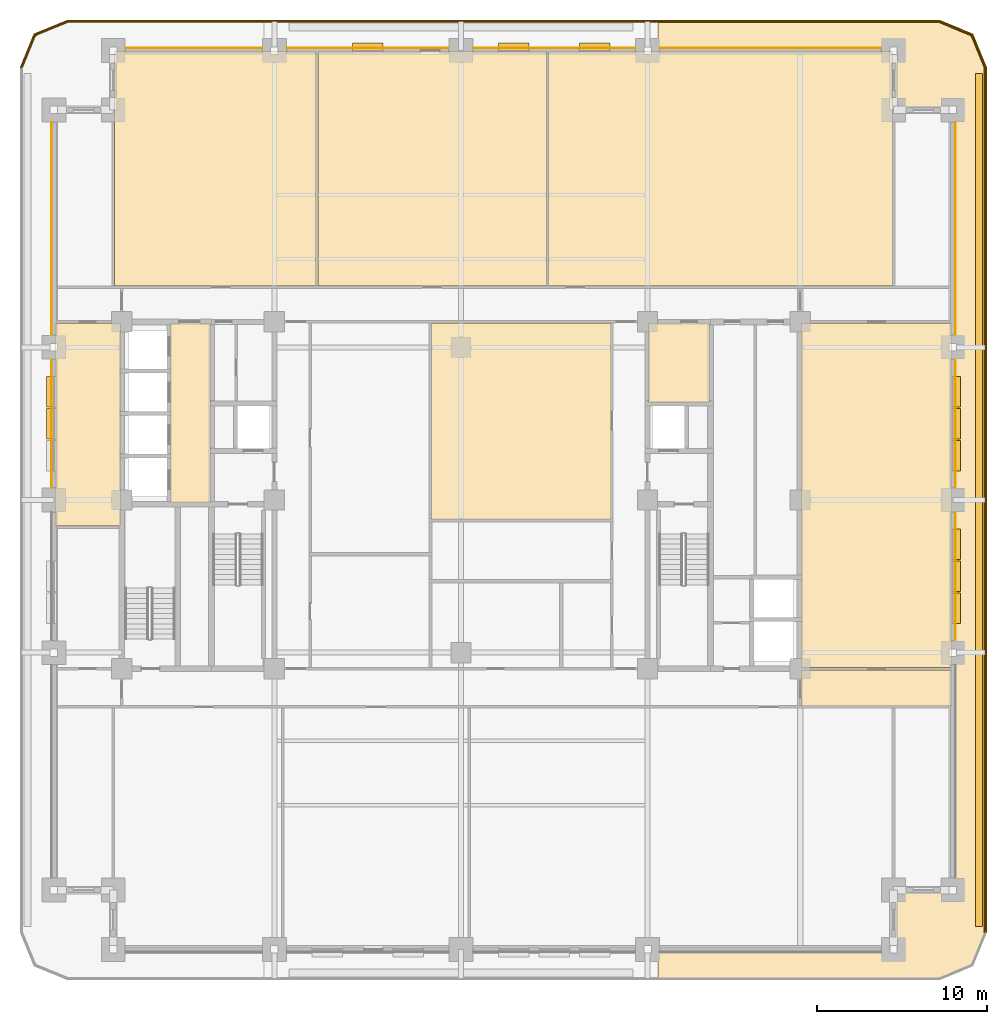
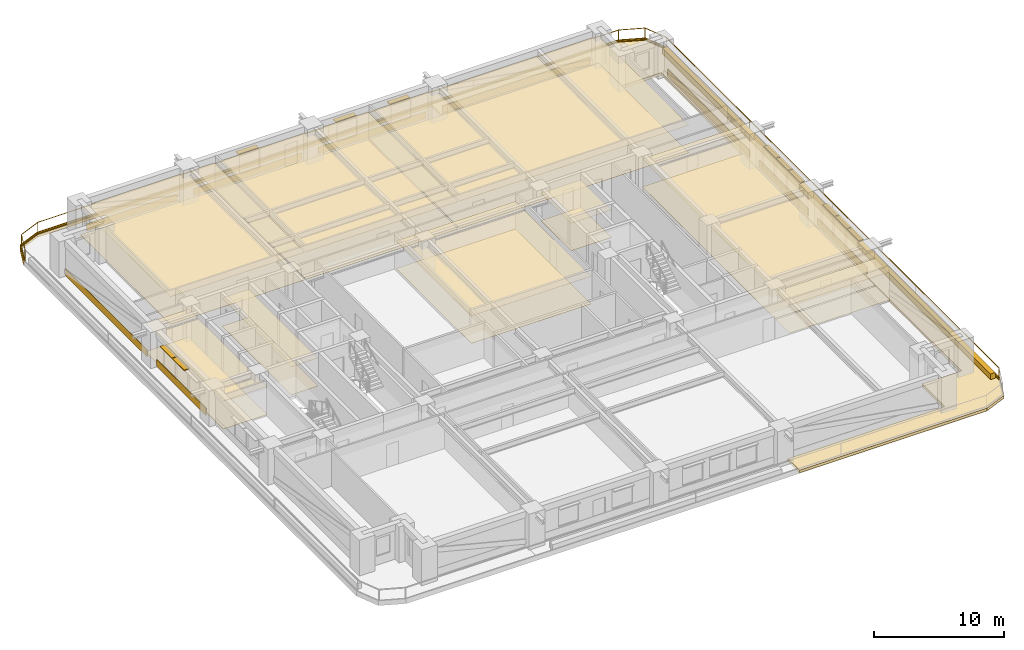
# One storey, part 13 of 13: 35 coverings, 11 shading devices, 2 railings.
"""IFC4 building model written with IfcOpenShell, lengths in metres."""

import ifcopenshell
import ifcopenshell.guid

model = None  # the IFC model being written
_history = None  # IfcOwnerHistory: only IFC2X3 demands one
_inside = {}  # id of a spatial element -> (the spatial element, [elements in it])
_under = {}  # id of a project, library or spatial element -> (it, [spatial elements below it])
_declared = {}  # id of a project -> (the project, [libraries it declares])
_typed = {}  # id of a type object -> (the type object, [elements of that type])
_made_of = {}  # id of a material, layer set ... -> (it, [elements and type objects made of it])


def new_model(schema):
    """Start an empty IFC model of exactly this schema.

    Asked for "IFC4X3", IfcOpenShell would pick the latest addendum, in which some entities
    have other attributes; the version numbers below select the first issue.
    IFC2X3 requires an IfcOwnerHistory on every rooted entity: one is made here for all.
    """
    global model, _history
    if schema == "IFC4X3":
        model = ifcopenshell.file(schema_version=(4, 3, 0, 0))
    else:
        model = ifcopenshell.file(schema=schema)
    _inside.clear()
    _under.clear()
    _declared.clear()
    _typed.clear()
    _made_of.clear()
    _history = None
    if model.schema == "IFC2X3":
        org = make("IfcOrganization", Name="unknown")
        user = make(
            "IfcPersonAndOrganization",
            ThePerson=make("IfcPerson", FamilyName="unknown"),
            TheOrganization=org,
        )
        app = make(
            "IfcApplication",
            ApplicationDeveloper=org,
            Version="unknown",
            ApplicationFullName="unknown",
            ApplicationIdentifier="unknown",
        )
        _history = make(
            "IfcOwnerHistory",
            OwningUser=user,
            OwningApplication=app,
            ChangeAction="ADDED",
            CreationDate=0,
        )
    return model


def make(cls, **values):
    """One entity of the class cls with the attributes given. An attribute that is None is left unset."""
    return model.create_entity(
        cls, **{name: value for name, value in values.items() if value is not None}
    )


def rooted(cls, **values):
    """An entity with a GlobalId (a new one), such as an element, a storey or a relation."""
    return make(cls, GlobalId=ifcopenshell.guid.new(), OwnerHistory=_history, **values)


def si_unit(unit_type, name, prefix=None):
    """IfcSIUnit, for example si_unit("LENGTHUNIT", "METRE", prefix="MILLI")."""
    return make("IfcSIUnit", UnitType=unit_type, Prefix=prefix, Name=name)


def assignment(units):
    """IfcUnitAssignment: the units of a project."""
    return None if units is None else make("IfcUnitAssignment", Units=units)


def point(xyz):
    """IfcCartesianPoint."""
    return None if xyz is None else make("IfcCartesianPoint", Coordinates=xyz)


def direction(xyz):
    """IfcDirection."""
    return None if xyz is None else make("IfcDirection", DirectionRatios=xyz)


def frame(location, z_axis=None, x_axis=None):
    """IfcAxis2Placement3D, a coordinate frame: its origin and axes. An axis left out is left unset."""
    return make(
        "IfcAxis2Placement3D",
        Location=point(location),
        Axis=direction(z_axis),
        RefDirection=direction(x_axis),
    )


def frame_2d(location, x_axis=None):
    """IfcAxis2Placement2D, a coordinate frame in the plane: its origin and x axis."""
    return make(
        "IfcAxis2Placement2D", Location=point(location), RefDirection=direction(x_axis)
    )


def origin():
    """The frame at (0, 0, 0) with its axes left unset."""
    return frame((0.0, 0.0, 0.0))


def origin_2d():
    """The frame at (0, 0) in the plane with its x axis left unset."""
    return frame_2d((0.0, 0.0))


def place(relative_to, where):
    """IfcLocalPlacement: puts the frame where relative to a parent placement (None: the world)."""
    return make(
        "IfcLocalPlacement", PlacementRelTo=relative_to, RelativePlacement=where
    )


def context(
    kind, dimensions, precision=None, world=None, true_north=None, identifier=None
):
    """IfcGeometricRepresentationContext, for example the 3D "Model" context."""
    return make(
        "IfcGeometricRepresentationContext",
        ContextIdentifier=identifier,
        ContextType=kind,
        CoordinateSpaceDimension=dimensions,
        Precision=precision,
        WorldCoordinateSystem=world,
        TrueNorth=true_north,
    )


def subcontext(parent, identifier, kind, view, scale=None):
    """IfcGeometricRepresentationSubContext, for example "Body" below "Model"."""
    return make(
        "IfcGeometricRepresentationSubContext",
        ContextIdentifier=identifier,
        ContextType=kind,
        ParentContext=parent,
        TargetScale=scale,
        TargetView=view,
    )


def project(units=None, contexts=None):
    """IfcProject with its units and contexts."""
    return rooted(
        "IfcProject",
        Name="project",
        RepresentationContexts=contexts,
        UnitsInContext=assignment(units),
    )


def spatial(cls, under=None, at=None, **own):
    """A site, building, storey or space (cls), placed at a placement, below another one or the project."""
    s = rooted(cls, ObjectPlacement=at, **own)
    if under is not None:
        _under.setdefault(under.id(), (under, []))[1].append(s)
    return s


def polyline(points):
    """IfcPolyline through the points."""
    return make("IfcPolyline", Points=[point(p) for p in points])


def profile(cls, at=None, kind="AREA", **sizes):
    """A parametric profile (cls). Its sizes go by their IFC names, for example OverallWidth=200.0."""
    return make(cls, ProfileType=kind, Position=at, **sizes)


def rectangle(**sizes):
    """IfcRectangleProfileDef."""
    return profile("IfcRectangleProfileDef", **sizes)


def outline(outer, holes=None, kind="AREA"):
    """IfcArbitraryClosedProfileDef: a profile drawn as a closed curve; with holes, ...WithVoids."""
    if holes is None:
        return make("IfcArbitraryClosedProfileDef", ProfileType=kind, OuterCurve=outer)
    return make(
        "IfcArbitraryProfileDefWithVoids",
        ProfileType=kind,
        OuterCurve=outer,
        InnerCurves=holes,
    )


def extrude(swept, where, along, depth):
    """IfcExtrudedAreaSolid: the profile swept, set in the frame where, extruded along a direction by depth."""
    return make(
        "IfcExtrudedAreaSolid",
        SweptArea=swept,
        Position=where,
        ExtrudedDirection=direction(along),
        Depth=depth,
    )


def shape(context_of_items, identifier, shape_type, items):
    """IfcShapeRepresentation: the items that make up one representation, for example the "Body"."""
    return make(
        "IfcShapeRepresentation",
        ContextOfItems=context_of_items,
        RepresentationIdentifier=identifier,
        RepresentationType=shape_type,
        Items=items,
    )


def material(Name=None, Category=None):
    """IfcMaterial."""
    return make("IfcMaterial", Name=Name, Category=Category)


def layer(
    of_material, thickness, ventilated=None, Name=None, Category=None, Priority=None
):
    """IfcMaterialLayer: one layer of a wall or slab, of a material (None: an air gap)."""
    return make(
        "IfcMaterialLayer",
        Material=of_material,
        LayerThickness=thickness,
        IsVentilated=ventilated,
        Name=Name,
        Category=Category,
        Priority=Priority,
    )


def layer_set(layers, Name=None):
    """IfcMaterialLayerSet."""
    return make("IfcMaterialLayerSet", MaterialLayers=layers, LayerSetName=Name)


def made_of(thing, what):
    """Note that an element or type object is made of a material, layer set ...; save() writes the relation."""
    if what is not None:
        _made_of.setdefault(what.id(), (what, []))[1].append(thing)
    return thing


def type_object(cls, material=None, **own):
    """A type object (cls), such as IfcWallType, which elements share."""
    return made_of(rooted(cls, **own), material)


def element(
    cls,
    number,
    at=None,
    inside=None,
    cuts=None,
    type_object=None,
    material=None,
    context=None,
    identifier="Body",
    shape_type=None,
    held_by="IfcProductDefinitionShape",
    body=None,
    shapes=None,
    **own,
):
    """One element of the class cls, such as IfcWall. Its Tag is "e" and its number.

    at: its placement. inside: the storey or other place that contains it. cuts: it is an
    opening in that element (IfcRelVoidsElement). A single representation is given by context,
    identifier, shape_type and body (its items); several are given by shapes. held_by: the class
    of the entity that holds the representations. save() writes the other relations.
    """
    e = rooted(cls, Tag="e%d" % number, ObjectPlacement=at, **own)
    if body is not None:
        shapes = [shape(context, identifier, shape_type, body)]
    if shapes is not None:
        e.Representation = make(held_by, Representations=shapes)
    if inside is not None:
        _inside.setdefault(inside.id(), (inside, []))[1].append(e)
    if cuts is not None:
        rooted(
            "IfcRelVoidsElement", RelatingBuildingElement=cuts, RelatedOpeningElement=e
        )
    if type_object is not None:
        _typed.setdefault(type_object.id(), (type_object, []))[1].append(e)
    return made_of(e, material)


def aggregate(whole, parts):
    """IfcRelAggregates: a whole, such as a stair, and the parts it consists of."""
    return rooted("IfcRelAggregates", RelatingObject=whole, RelatedObjects=parts)


def save(model, path):
    """Write the relations noted so far, then the file.

    IfcRelAggregates (storeys below a building ...), IfcRelContainedInSpatialStructure (elements
    in a storey), IfcRelDefinesByType, IfcRelAssociatesMaterial and IfcRelDeclares: one each for
    every whole, place, type object, material and project.
    """
    for whole, parts in _under.values():
        aggregate(whole, parts)
    for where, things in _inside.values():
        rooted(
            "IfcRelContainedInSpatialStructure",
            RelatedElements=things,
            RelatingStructure=where,
        )
    for kind, things in _typed.values():
        rooted("IfcRelDefinesByType", RelatedObjects=things, RelatingType=kind)
    for what, things in _made_of.values():
        rooted("IfcRelAssociatesMaterial", RelatedObjects=things, RelatingMaterial=what)
    for by, libraries in _declared.values():
        rooted("IfcRelDeclares", RelatingContext=by, RelatedDefinitions=libraries)
    model.write(path)


model = new_model("IFC4")

# Units and contexts
model_context = context("Model", 3, precision=1e-05, world=origin(), true_north=direction((0.0, 1.0)))
body_context = subcontext(model_context, "Body", "Model", "MODEL_VIEW")
ifc_project = project(units=[si_unit("LENGTHUNIT", "METRE"), si_unit("AREAUNIT", "SQUARE_METRE"), si_unit("VOLUMEUNIT", "CUBIC_METRE"), si_unit("PLANEANGLEUNIT", "RADIAN"), si_unit("MASSUNIT", "GRAM", prefix="KILO")], contexts=[model_context])

# Site, building, storey
site_placement = place(None, origin())
site = spatial("IfcSite", under=ifc_project, at=site_placement, CompositionType="ELEMENT")
building_placement = place(site_placement, origin())
building = spatial("IfcBuilding", under=site, at=building_placement, Name="Zulmaris Gate Convention Tower", CompositionType="ELEMENT")
storey_placement = place(building_placement, frame((0.0, 0.0, 34.340087890625)))
storey = spatial("IfcBuildingStorey", under=building, at=storey_placement, Name="L07", CompositionType="ELEMENT", Elevation=34.340087890625)

# Coverings
ifc_material_1 = material(Name="Precast concrete C40/50", Category="concrete")
ifc_layer_1 = layer(ifc_material_1, 0.0400390625, Name="Precast concrete C40/50")
ifc_layer_set_1 = layer_set([ifc_layer_1], Name="Precast concrete C40/50")
covering_type_1 = type_object("IfcCoveringType", Name="CLAD-SPANDREL-PRECAST", PredefinedType="CLADDING", material=ifc_layer_set_1)
covering_1_placement = place(storey_placement, frame((-11.72998046875, 26.64990234375, 0.0), z_axis=(0.0, 0.0, 1.0), x_axis=(-1.0, 0.0, 0.0)))
element("IfcCovering", 1, at=covering_1_placement, inside=storey, type_object=covering_type_1, Name="CLD-L07-N-0_0", PredefinedType="CLADDING", context=body_context, shape_type="SweptSolid", body=[
    extrude(rectangle(XDim=8.0400390625, YDim=0.0400390625, at=frame_2d((4.02001953125, 0.0))), origin(), (0.0, 0.0, 1.0), 0.679931640625),
])
for number, where, z_axis, x_axis, name in (
    (2, (-0.72998046875, 26.64990234375, 0.0), (0.0, 0.0, 1.0), (-1.0, 0.0, 0.0), "CLD-L07-N-1_0"),
    (3, (10.27001953125, 26.64990234375, 0.0), (0.0, 0.0, 1.0), (-1.0, 0.0, 0.0), "CLD-L07-N-2_0"),
):
    element("IfcCovering", number, at=place(storey_placement, frame(where, z_axis=z_axis, x_axis=x_axis)), inside=storey, type_object=covering_type_1, Name=name, PredefinedType="CLADDING", context=body_context, shape_type="SweptSolid", body=[
        extrude(rectangle(XDim=9.5400390625, YDim=0.0400390625, at=frame_2d((4.77001953125, 0.0))), origin(), (0.0, 0.0, 1.0), 0.679931640625),
    ])
covering_2_placement = place(storey_placement, frame((24.77001953125, 26.64990234375, 0.0), z_axis=(0.0, 0.0, 1.0), x_axis=(-1.0, 0.0, 0.0)))
element("IfcCovering", 4, at=covering_2_placement, inside=storey, type_object=covering_type_1, Name="CLD-L07-N-3_0", PredefinedType="CLADDING", context=body_context, shape_type="SweptSolid", body=[
    extrude(rectangle(XDim=13.0400390625, YDim=0.0400390625, at=frame_2d((6.52001953125, 0.0))), origin(), (0.0, 0.0, 1.0), 0.679931640625),
])
for number, where, z_axis, x_axis, name in (
    (5, (29.14990234375, -8.27001953125, 0.0), (0.0, 0.0, 1.0), (0.0, 1.0, 0.0), "CLD-L07-E-1_0"),
    (6, (29.14990234375, 0.72998046875, 0.0), (0.0, 0.0, 1.0), (0.0, 1.0, 0.0), "CLD-L07-E-2_0"),
):
    element("IfcCovering", number, at=place(storey_placement, frame(where, z_axis=z_axis, x_axis=x_axis)), inside=storey, type_object=covering_type_1, Name=name, PredefinedType="CLADDING", context=body_context, shape_type="SweptSolid", body=[
        extrude(rectangle(XDim=7.5400390625, YDim=0.0400390625, at=frame_2d((3.77001953125, 0.0))), origin(), (0.0, 0.0, 1.0), 0.679931640625),
    ])
covering_3_placement = place(storey_placement, frame((29.14990234375, 9.72998046875, 0.0), z_axis=(0.0, 0.0, 1.0), x_axis=(0.0, 1.0, 0.0)))
element("IfcCovering", 7, at=covering_3_placement, inside=storey, type_object=covering_type_1, Name="CLD-L07-E-3_0", PredefinedType="CLADDING", context=body_context, shape_type="SweptSolid", body=[
    extrude(rectangle(XDim=12.5400390625, YDim=0.0400390625, at=frame_2d((6.27001953125, 0.0))), origin(), (0.0, 0.0, 1.0), 0.679931640625),
])
covering_4_placement = place(storey_placement, frame((-24.14990234375, 8.27001953125, 0.0), z_axis=(0.0, 0.0, 1.0), x_axis=(0.0, -1.0, 0.0)))
element("IfcCovering", 8, at=covering_4_placement, inside=storey, type_object=covering_type_1, Name="CLD-L07-W-2_0", PredefinedType="CLADDING", context=body_context, shape_type="SweptSolid", body=[
    extrude(rectangle(XDim=7.5400390625, YDim=0.0400390625, at=frame_2d((3.77001953125, 0.0))), origin(), (0.0, 0.0, 1.0), 0.679931640625),
])
covering_5_placement = place(storey_placement, frame((-24.14990234375, 22.27001953125, 0.0), z_axis=(0.0, 0.0, 1.0), x_axis=(0.0, -1.0, 0.0)))
element("IfcCovering", 9, at=covering_5_placement, inside=storey, type_object=covering_type_1, Name="CLD-L07-W-3_0", PredefinedType="CLADDING", context=body_context, shape_type="SweptSolid", body=[
    extrude(rectangle(XDim=12.5400390625, YDim=0.0400390625, at=frame_2d((6.27001953125, 0.0))), origin(), (0.0, 0.0, 1.0), 0.679931640625),
])
ifc_material_2 = material(Name="White Glazed Architectural Precast Concrete C40/50", Category="concrete")
ifc_layer_2 = layer(ifc_material_2, 0.239990234375, Name="White Glazed Architectural Precast Concrete C40/50")
ifc_layer_set_2 = layer_set([ifc_layer_2], Name="White Glazed Architectural Precast Concrete C40/50")
covering_type_2 = type_object("IfcCoveringType", Name="CLAD-TRAY-DECK", PredefinedType="CLADDING", material=ifc_layer_set_2)
covering_6_placement = place(storey_placement, frame((0.0, 0.0, -0.300048828125)))
element("IfcCovering", 10, at=covering_6_placement, inside=storey, type_object=covering_type_2, Name="L07 East Rounded-Fascia Planter Tray Deck", PredefinedType="CLADDING", context=body_context, shape_type="SweptSolid", body=[
    extrude(outline(polyline([(28.199951171875, 28.300048828125), (30.179931640625, 27.47998046875), (31.0, 25.5), (31.0, -25.5), (30.179931640625, -27.47998046875), (28.199951171875, -28.300048828125), (11.60205078125, -28.300048828125), (11.60205078125, -26.5), (25.5, -26.5), (25.5, -23.0), (29.0, -23.0), (29.0, 23.0), (25.5, 23.0), (25.5, 26.5), (11.60205078125, 26.5), (11.60205078125, 28.300048828125), (28.199951171875, 28.300048828125)])), origin(), (0.0, 0.0, 1.0), 0.260009765625),
])
ifc_layer_3 = layer(ifc_material_2, 0.080078125, Name="White Glazed Architectural Precast Concrete C40/50")
ifc_layer_set_3 = layer_set([ifc_layer_3], Name="White Glazed Architectural Precast Concrete C40/50")
covering_type_3 = type_object("IfcCoveringType", Name="CLAD-TRAY-FASCIA", PredefinedType="CLADDING", material=ifc_layer_set_3)
covering_7_placement = place(storey_placement, frame((30.9599609375, -25.5, -0.340087890625), z_axis=(0.0, 0.0, 1.0), x_axis=(0.0, 1.0, 0.0)))
element("IfcCovering", 11, at=covering_7_placement, inside=storey, type_object=covering_type_3, Name="FSC-L07-TR-05", PredefinedType="CLADDING", context=body_context, shape_type="SweptSolid", body=[
    extrude(rectangle(XDim=51.0, YDim=0.080078125, at=frame_2d((25.5, 0.0))), origin(), (0.0, 0.0, 1.0), 0.460205078125),
])
covering_8_placement = place(storey_placement, frame((30.962890625, 25.484619140625, -0.340087890625), z_axis=(0.0, 0.0, 1.0), x_axis=(-0.382656984709, 0.923890487046, 0.0)))
element("IfcCovering", 12, at=covering_8_placement, inside=storey, type_object=covering_type_3, Name="FSC-L07-TR-06", PredefinedType="CLADDING", context=body_context, shape_type="SweptSolid", body=[
    extrude(rectangle(XDim=2.14306640625, YDim=0.080078125, at=frame_2d((1.071533203125, 0.0))), origin(), (0.0, 0.0, 1.0), 0.460205078125),
])
covering_9_placement = place(storey_placement, frame((30.16455078125, 27.44287109375, -0.340087890625), z_axis=(0.0, 0.0, 1.0), x_axis=(-0.923873803533, 0.382697263049, 0.0)))
element("IfcCovering", 13, at=covering_9_placement, inside=storey, type_object=covering_type_3, Name="FSC-L07-TR-07", PredefinedType="CLADDING", context=body_context, shape_type="SweptSolid", body=[
    extrude(rectangle(XDim=2.142822265625, YDim=0.080078125, at=frame_2d((1.0712890625, 0.0))), origin(), (0.0, 0.0, 1.0), 0.460205078125),
])
covering_10_placement = place(storey_placement, frame((28.199951171875, 28.260009765625, -0.340087890625), z_axis=(0.0, 0.0, 1.0), x_axis=(-1.0, 0.0, 0.0)))
element("IfcCovering", 14, at=covering_10_placement, inside=storey, type_object=covering_type_3, Name="FSC-L07-TR-08", PredefinedType="CLADDING", context=body_context, shape_type="SweptSolid", body=[
    extrude(rectangle(XDim=51.39990234375, YDim=0.080078125, at=frame_2d((25.699951171875, 0.0))), origin(), (0.0, 0.0, 1.0), 0.460205078125),
])
covering_11_placement = place(storey_placement, frame((-23.184814453125, 28.262939453125, -0.340087890625), z_axis=(0.0, 0.0, 1.0), x_axis=(-0.923873803533, -0.382697263049, 0.0)))
element("IfcCovering", 15, at=covering_11_placement, inside=storey, type_object=covering_type_3, Name="FSC-L07-TR-09", PredefinedType="CLADDING", context=body_context, shape_type="SweptSolid", body=[
    extrude(rectangle(XDim=2.142822265625, YDim=0.080078125, at=frame_2d((1.0712890625, 0.0))), origin(), (0.0, 0.0, 1.0), 0.460205078125),
])
covering_12_placement = place(storey_placement, frame((-25.142822265625, 27.464599609375, -0.340087890625), z_axis=(0.0, 0.0, 1.0), x_axis=(-0.382656984709, -0.923890487046, 0.0)))
element("IfcCovering", 16, at=covering_12_placement, inside=storey, type_object=covering_type_3, Name="FSC-L07-TR-10", PredefinedType="CLADDING", context=body_context, shape_type="SweptSolid", body=[
    extrude(rectangle(XDim=2.14306640625, YDim=0.080078125, at=frame_2d((1.071533203125, 0.0))), origin(), (0.0, 0.0, 1.0), 0.460205078125),
])
ifc_material_3 = material(Name="Mineral Fibre Acoustic Ceiling Tile")
ifc_layer_4 = layer(ifc_material_3, 0.02001953125, Name="Mineral Fibre Acoustic Ceiling Tile")
ifc_layer_set_4 = layer_set([ifc_layer_4], Name="Mineral Fibre Acoustic Ceiling Tile")
covering_type_4 = type_object("IfcCoveringType", Name="CLG-ACOUSTIC-600", PredefinedType="CEILING", material=ifc_layer_set_4)
covering_13_placement = place(storey_placement, frame((0.0, 0.0, 2.577880859375)))
element("IfcCovering", 17, at=covering_13_placement, inside=storey, type_object=covering_type_4, Name="CLG-L07-R13", PredefinedType="CEILING", context=body_context, shape_type="SweptSolid", body=[
    extrude(outline(polyline([(11.06005859375, 5.760009765625), (14.639892578125, 5.760009765625), (14.639892578125, 10.43994140625), (11.06005859375, 10.43994140625), (11.06005859375, 5.760009765625)])), origin(), (0.0, 0.0, 1.0), 0.02001953125),
])
covering_14_placement = place(storey_placement, frame((0.0, 0.0, 2.6279296875)))
element("IfcCovering", 18, at=covering_14_placement, inside=storey, type_object=covering_type_4, Name="CLG-L07-R16", PredefinedType="CEILING", context=body_context, shape_type="SweptSolid", body=[
    extrude(outline(polyline([(-17.139892578125, -0.18994140625), (-14.760009765625, -0.18994140625), (-14.760009765625, 10.43994140625), (-17.139892578125, 10.43994140625), (-17.139892578125, -0.18994140625)])), origin(), (0.0, 0.0, 1.0), 0.019775390625),
])
covering_15_placement = place(storey_placement, frame((0.0, 0.0, 2.577880859375)))
element("IfcCovering", 19, at=covering_15_placement, inside=storey, type_object=covering_type_4, Name="CLG-L07-R33", PredefinedType="CEILING", context=body_context, shape_type="SweptSolid", body=[
    extrude(outline(polyline([(-20.43994140625, 12.610107421875), (-8.56005859375, 12.610107421875), (-8.56005859375, 26.43994140625), (-20.43994140625, 26.43994140625), (-20.43994140625, 12.610107421875)])), origin(), (0.0, 0.0, 1.0), 0.02001953125),
])
covering_16_placement = place(storey_placement, frame((0.0, 0.0, 2.577880859375)))
element("IfcCovering", 20, at=covering_16_placement, inside=storey, type_object=covering_type_4, Name="CLG-L07-R34", PredefinedType="CEILING", context=body_context, shape_type="SweptSolid", body=[
    extrude(outline(polyline([(-8.43994140625, 12.610107421875), (5.0400390625, 12.610107421875), (5.0400390625, 26.43994140625), (-8.43994140625, 26.43994140625), (-8.43994140625, 12.610107421875)])), origin(), (0.0, 0.0, 1.0), 0.02001953125),
])
covering_17_placement = place(storey_placement, frame((0.0, 0.0, 2.577880859375)))
element("IfcCovering", 21, at=covering_17_placement, inside=storey, type_object=covering_type_4, Name="CLG-L07-R35", PredefinedType="CEILING", context=body_context, shape_type="SweptSolid", body=[
    extrude(outline(polyline([(5.159912109375, 12.610107421875), (25.43994140625, 12.610107421875), (25.43994140625, 26.43994140625), (5.159912109375, 26.43994140625), (5.159912109375, 12.610107421875)])), origin(), (0.0, 0.0, 1.0), 0.02001953125),
])
covering_18_placement = place(storey_placement, frame((0.0, 0.0, 2.577880859375)))
element("IfcCovering", 22, at=covering_18_placement, inside=storey, type_object=covering_type_4, Name="CLG-L07-R41", PredefinedType="CEILING", context=body_context, shape_type="SweptSolid", body=[
    extrude(outline(polyline([(-1.739990234375, -1.139892578125), (8.840087890625, -1.139892578125), (8.840087890625, 10.43994140625), (-1.739990234375, 10.43994140625), (-1.739990234375, -1.139892578125)])), origin(), (0.0, 0.0, 1.0), 0.02001953125),
])
covering_19_placement = place(storey_placement, frame((0.0, 0.0, 2.6279296875)))
element("IfcCovering", 23, at=covering_19_placement, inside=storey, type_object=covering_type_4, Name="CLG-L07-R47", PredefinedType="CEILING", context=body_context, shape_type="SweptSolid", body=[
    extrude(outline(polyline([(-23.93994140625, -1.5400390625), (-20.06005859375, -1.5400390625), (-20.06005859375, 10.43994140625), (-23.93994140625, 10.43994140625), (-23.93994140625, -1.5400390625)])), origin(), (0.0, 0.0, 1.0), 0.019775390625),
])
covering_20_placement = place(storey_placement, frame((0.0, 0.0, 2.6279296875)))
element("IfcCovering", 24, at=covering_20_placement, inside=storey, type_object=covering_type_4, Name="CLG-L07-R50", PredefinedType="CEILING", context=body_context, shape_type="SweptSolid", body=[
    extrude(outline(polyline([(20.06005859375, -12.139892578125), (28.93994140625, -12.139892578125), (28.93994140625, -10.010009765625), (20.06005859375, -10.010009765625), (20.06005859375, -12.139892578125)])), origin(), (0.0, 0.0, 1.0), 0.019775390625),
])
covering_21_placement = place(storey_placement, frame((0.0, 0.0, 2.6279296875)))
element("IfcCovering", 25, at=covering_21_placement, inside=storey, type_object=covering_type_4, Name="CLG-L07-R51", PredefinedType="CEILING", context=body_context, shape_type="SweptSolid", body=[
    extrude(outline(polyline([(20.06005859375, -9.889892578125), (28.93994140625, -9.889892578125), (28.93994140625, 10.43994140625), (20.06005859375, 10.43994140625), (20.06005859375, -9.889892578125)])), origin(), (0.0, 0.0, 1.0), 0.019775390625),
])
ifc_material_4 = material(Name="Woven Acoustic Wool Carpet Tile")
ifc_layer_5 = layer(ifc_material_4, 0.02001953125, Name="Woven Acoustic Wool Carpet Tile")
ifc_layer_set_5 = layer_set([ifc_layer_5], Name="Woven Acoustic Wool Carpet Tile")
covering_type_5 = type_object("IfcCoveringType", Name="FLR-CARPET-12", PredefinedType="FLOORING", material=ifc_layer_set_5)
covering_22_placement = place(storey_placement, origin())
element("IfcCovering", 26, at=covering_22_placement, inside=storey, type_object=covering_type_5, Name="FLR-L07-R13", PredefinedType="FLOORING", context=body_context, shape_type="SweptSolid", body=[
    extrude(outline(polyline([(11.06005859375, 5.760009765625), (14.639892578125, 5.760009765625), (14.639892578125, 10.43994140625), (11.06005859375, 10.43994140625), (11.06005859375, 5.760009765625)])), origin(), (0.0, 0.0, 1.0), 0.02001953125),
])
covering_23_placement = place(storey_placement, origin())
element("IfcCovering", 27, at=covering_23_placement, inside=storey, type_object=covering_type_5, Name="FLR-L07-R16", PredefinedType="FLOORING", context=body_context, shape_type="SweptSolid", body=[
    extrude(outline(polyline([(-17.139892578125, -0.18994140625), (-14.760009765625, -0.18994140625), (-14.760009765625, 10.43994140625), (-17.139892578125, 10.43994140625), (-17.139892578125, -0.18994140625)])), origin(), (0.0, 0.0, 1.0), 0.02001953125),
])
covering_24_placement = place(storey_placement, origin())
element("IfcCovering", 28, at=covering_24_placement, inside=storey, type_object=covering_type_5, Name="FLR-L07-R33", PredefinedType="FLOORING", context=body_context, shape_type="SweptSolid", body=[
    extrude(outline(polyline([(-20.43994140625, 12.610107421875), (-8.56005859375, 12.610107421875), (-8.56005859375, 26.43994140625), (-20.43994140625, 26.43994140625), (-20.43994140625, 12.610107421875)])), origin(), (0.0, 0.0, 1.0), 0.02001953125),
])
covering_25_placement = place(storey_placement, origin())
element("IfcCovering", 29, at=covering_25_placement, inside=storey, type_object=covering_type_5, Name="FLR-L07-R34", PredefinedType="FLOORING", context=body_context, shape_type="SweptSolid", body=[
    extrude(outline(polyline([(-8.43994140625, 12.610107421875), (5.0400390625, 12.610107421875), (5.0400390625, 26.43994140625), (-8.43994140625, 26.43994140625), (-8.43994140625, 12.610107421875)])), origin(), (0.0, 0.0, 1.0), 0.02001953125),
])
covering_26_placement = place(storey_placement, origin())
element("IfcCovering", 30, at=covering_26_placement, inside=storey, type_object=covering_type_5, Name="FLR-L07-R35", PredefinedType="FLOORING", context=body_context, shape_type="SweptSolid", body=[
    extrude(outline(polyline([(5.159912109375, 12.610107421875), (25.43994140625, 12.610107421875), (25.43994140625, 26.43994140625), (5.159912109375, 26.43994140625), (5.159912109375, 12.610107421875)])), origin(), (0.0, 0.0, 1.0), 0.02001953125),
])
covering_27_placement = place(storey_placement, origin())
element("IfcCovering", 31, at=covering_27_placement, inside=storey, type_object=covering_type_5, Name="FLR-L07-R41", PredefinedType="FLOORING", context=body_context, shape_type="SweptSolid", body=[
    extrude(outline(polyline([(-1.739990234375, -1.139892578125), (8.840087890625, -1.139892578125), (8.840087890625, 10.43994140625), (-1.739990234375, 10.43994140625), (-1.739990234375, -1.139892578125)])), origin(), (0.0, 0.0, 1.0), 0.02001953125),
])
covering_28_placement = place(storey_placement, origin())
element("IfcCovering", 32, at=covering_28_placement, inside=storey, type_object=covering_type_5, Name="FLR-L07-R47", PredefinedType="FLOORING", context=body_context, shape_type="SweptSolid", body=[
    extrude(outline(polyline([(-23.93994140625, -1.5400390625), (-20.06005859375, -1.5400390625), (-20.06005859375, 10.43994140625), (-23.93994140625, 10.43994140625), (-23.93994140625, -1.5400390625)])), origin(), (0.0, 0.0, 1.0), 0.02001953125),
])
covering_29_placement = place(storey_placement, origin())
element("IfcCovering", 33, at=covering_29_placement, inside=storey, type_object=covering_type_5, Name="FLR-L07-R50", PredefinedType="FLOORING", context=body_context, shape_type="SweptSolid", body=[
    extrude(outline(polyline([(20.06005859375, -12.139892578125), (28.93994140625, -12.139892578125), (28.93994140625, -10.010009765625), (20.06005859375, -10.010009765625), (20.06005859375, -12.139892578125)])), origin(), (0.0, 0.0, 1.0), 0.02001953125),
])
covering_30_placement = place(storey_placement, origin())
element("IfcCovering", 34, at=covering_30_placement, inside=storey, type_object=covering_type_5, Name="FLR-L07-R51", PredefinedType="FLOORING", context=body_context, shape_type="SweptSolid", body=[
    extrude(outline(polyline([(20.06005859375, -9.889892578125), (28.93994140625, -9.889892578125), (28.93994140625, 10.43994140625), (20.06005859375, 10.43994140625), (20.06005859375, -9.889892578125)])), origin(), (0.0, 0.0, 1.0), 0.02001953125),
])
ifc_material_5 = material(Name="Botanical Green Glazed Precast Concrete C40/50", Category="concrete")
ifc_layer_6 = layer(ifc_material_5, 0.419921875, Name="Botanical Green Glazed Precast Concrete C40/50")
ifc_layer_set_6 = layer_set([ifc_layer_6], Name="Botanical Green Glazed Precast Concrete C40/50")
covering_type_6 = type_object("IfcCoveringType", Name="PLANTER-BOX-200", PredefinedType="CLADDING", material=ifc_layer_set_6)
covering_31_placement = place(storey_placement, frame((0.0, 0.0, -0.0400390625)))
element("IfcCovering", 35, at=covering_31_placement, inside=storey, type_object=covering_type_6, Name="L07 E Full-Length Balcony Tree Planter Trough", PredefinedType="CLADDING", context=body_context, shape_type="SweptSolid", body=[
    extrude(outline(polyline([(30.340087890625, -25.14990234375), (30.760009765625, -25.14990234375), (30.760009765625, 25.14990234375), (30.340087890625, 25.14990234375), (30.340087890625, -25.14990234375)])), origin(), (0.0, 0.0, 1.0), 0.52001953125),
])

# Railings
ifc_material_6 = material(Name="Laminated Glass and Stainless Steel", Category="steel")
railing_type = type_object("IfcRailingType", Name="RL-BALC-1150", PredefinedType="BALUSTRADE", material=ifc_material_6)
railing_1_placement = place(storey_placement, frame((30.8798828125, -25.5, -0.0400390625)))
element("IfcRailing", 36, at=railing_1_placement, inside=storey, type_object=railing_type, Name="RL-L07-BALC-E", PredefinedType="BALUSTRADE", context=body_context, shape_type="SweptSolid", body=[
    extrude(rectangle(XDim=0.048095703125, YDim=0.048095703125, at=origin_2d()), frame((0.0, 0.0, 1.1259765625), z_axis=(0.0, 1.0, 0.0), x_axis=(-1.0, 0.0, 0.0)), (0.0, 0.0, 1.0), 51.0),
    extrude(rectangle(XDim=0.048095703125, YDim=0.048095703125, at=origin_2d()), frame((0.0, 0.0, 0.02392578125), z_axis=(0.0, 1.0, 0.0), x_axis=(-1.0, 0.0, 0.0)), (0.0, 0.0, 1.0), 51.0),
    extrude(rectangle(XDim=0.0419921875, YDim=0.0419921875, at=origin_2d()), origin(), (0.0, 0.0, 1.0), 1.101806640625),
    extrude(rectangle(XDim=0.0419921875, YDim=0.0419921875, at=origin_2d()), frame((0.0, 12.75, 0.0)), (0.0, 0.0, 1.0), 1.101806640625),
    extrude(rectangle(XDim=0.0419921875, YDim=0.0419921875, at=origin_2d()), frame((0.0, 25.5, 0.0)), (0.0, 0.0, 1.0), 1.101806640625),
    extrude(rectangle(XDim=0.0419921875, YDim=0.0419921875, at=origin_2d()), frame((0.0, 38.25, 0.0)), (0.0, 0.0, 1.0), 1.101806640625),
    extrude(rectangle(XDim=0.0419921875, YDim=0.0419921875, at=origin_2d()), frame((0.0, 51.0, 0.0)), (0.0, 0.0, 1.0), 1.101806640625),
])
railing_2_placement = place(storey_placement, frame((30.8798828125, 25.5, -0.0400390625)))
element("IfcRailing", 37, at=railing_2_placement, inside=storey, type_object=railing_type, Name="RL-L07-BALC-N", PredefinedType="BALUSTRADE", context=body_context, shape_type="SweptSolid", body=[
    extrude(rectangle(XDim=0.048095703125, YDim=0.048095703125, at=origin_2d()), frame((0.0, 0.0, 1.1259765625), z_axis=(-0.382670664694, 0.92388482095, 0.0), x_axis=(-0.92388482095, -0.382670664694, 0.0)), (0.0, 0.0, 1.0), 2.051025390625),
    extrude(rectangle(XDim=0.048095703125, YDim=0.048095703125, at=origin_2d()), frame((0.0, 0.0, 0.02392578125), z_axis=(-0.382670664694, 0.92388482095, 0.0), x_axis=(-0.92388482095, -0.382670664694, 0.0)), (0.0, 0.0, 1.0), 2.051025390625),
    extrude(rectangle(XDim=0.048095703125, YDim=0.048095703125, at=origin_2d()), frame((-0.784912109375, 1.89501953125, 1.1259765625), z_axis=(-0.92388482095, 0.382670664694, 0.0), x_axis=(-0.382670664694, -0.92388482095, 0.0)), (0.0, 0.0, 1.0), 2.051025390625),
    extrude(rectangle(XDim=0.048095703125, YDim=0.048095703125, at=origin_2d()), frame((-0.784912109375, 1.89501953125, 0.02392578125), z_axis=(-0.92388482095, 0.382670664694, 0.0), x_axis=(-0.382670664694, -0.92388482095, 0.0)), (0.0, 0.0, 1.0), 2.051025390625),
    extrude(rectangle(XDim=0.048095703125, YDim=0.048095703125, at=origin_2d()), frame((-2.679931640625, 2.679931640625, 1.1259765625), z_axis=(-1.0, 0.0, 0.0), x_axis=(0.0, -1.0, 0.0)), (0.0, 0.0, 1.0), 51.39990234375),
    extrude(rectangle(XDim=0.048095703125, YDim=0.048095703125, at=origin_2d()), frame((-2.679931640625, 2.679931640625, 0.02392578125), z_axis=(-1.0, 0.0, 0.0), x_axis=(0.0, -1.0, 0.0)), (0.0, 0.0, 1.0), 51.39990234375),
    extrude(rectangle(XDim=0.048095703125, YDim=0.048095703125, at=origin_2d()), frame((-54.079833984375, 2.679931640625, 1.1259765625), z_axis=(-0.92388482095, -0.382670664694, 0.0), x_axis=(0.382670664694, -0.92388482095, 0.0)), (0.0, 0.0, 1.0), 2.051025390625),
    extrude(rectangle(XDim=0.048095703125, YDim=0.048095703125, at=origin_2d()), frame((-54.079833984375, 2.679931640625, 0.02392578125), z_axis=(-0.92388482095, -0.382670664694, 0.0), x_axis=(0.382670664694, -0.92388482095, 0.0)), (0.0, 0.0, 1.0), 2.051025390625),
    extrude(rectangle(XDim=0.048095703125, YDim=0.048095703125, at=origin_2d()), frame((-55.974853515625, 1.89501953125, 1.1259765625), z_axis=(-0.382670664694, -0.92388482095, 0.0), x_axis=(0.92388482095, -0.382670664694, 0.0)), (0.0, 0.0, 1.0), 2.051025390625),
    extrude(rectangle(XDim=0.048095703125, YDim=0.048095703125, at=origin_2d()), frame((-55.974853515625, 1.89501953125, 0.02392578125), z_axis=(-0.382670664694, -0.92388482095, 0.0), x_axis=(0.92388482095, -0.382670664694, 0.0)), (0.0, 0.0, 1.0), 2.051025390625),
    extrude(rectangle(XDim=0.0419921875, YDim=0.0419921875, at=origin_2d()), origin(), (0.0, 0.0, 1.0), 1.101806640625),
    extrude(rectangle(XDim=0.0419921875, YDim=0.0419921875, at=origin_2d()), frame((-0.784912109375, 1.89501953125, 0.0)), (0.0, 0.0, 1.0), 1.101806640625),
    extrude(rectangle(XDim=0.0419921875, YDim=0.0419921875, at=origin_2d()), frame((-2.679931640625, 2.679931640625, 0.0)), (0.0, 0.0, 1.0), 1.101806640625),
    extrude(rectangle(XDim=0.0419921875, YDim=0.0419921875, at=origin_2d()), frame((-15.52978515625, 2.679931640625, 0.0)), (0.0, 0.0, 1.0), 1.101806640625),
    extrude(rectangle(XDim=0.0419921875, YDim=0.0419921875, at=origin_2d()), frame((-28.3798828125, 2.679931640625, 0.0)), (0.0, 0.0, 1.0), 1.101806640625),
    extrude(rectangle(XDim=0.0419921875, YDim=0.0419921875, at=origin_2d()), frame((-41.22998046875, 2.679931640625, 0.0)), (0.0, 0.0, 1.0), 1.101806640625),
    extrude(rectangle(XDim=0.0419921875, YDim=0.0419921875, at=origin_2d()), frame((-54.079833984375, 2.679931640625, 0.0)), (0.0, 0.0, 1.0), 1.101806640625),
    extrude(rectangle(XDim=0.0419921875, YDim=0.0419921875, at=origin_2d()), frame((-55.974853515625, 1.89501953125, 0.0)), (0.0, 0.0, 1.0), 1.101806640625),
    extrude(rectangle(XDim=0.0419921875, YDim=0.0419921875, at=origin_2d()), frame((-56.759765625, 0.0, 0.0)), (0.0, 0.0, 1.0), 1.101806640625),
])

# Shading devices
ifc_material_7 = material(Name="Glazed Ceramic Terracotta", Category="masonry")
ifc_layer_7 = layer(ifc_material_7, 0.070068359375, Name="Glazed Ceramic Terracotta")
ifc_layer_set_7 = layer_set([ifc_layer_7], Name="Glazed Ceramic Terracotta")
shading_device_type = type_object("IfcShadingDeviceType", Name="SHD-SUNSHADE-TC", PredefinedType="AWNING", material=ifc_layer_set_7)
for number, where, z_axis, x_axis, name in (
    (38, (-4.60009765625, 26.719970703125, 2.530029296875), (0.0, 0.0, 1.0), (-1.0, 0.0, 0.0), "SHD-EW-L07-N-1_0-2"),
    (39, (8.784912109375, 26.719970703125, 2.530029296875), (0.0, 0.0, 1.0), (-1.0, 0.0, 0.0), "SHD-EW-L07-N-2_0-1"),
    (40, (4.014892578125, 26.719970703125, 2.530029296875), (0.0, 0.0, 1.0), (-1.0, 0.0, 0.0), "SHD-EW-L07-N-2_0-3"),
    (41, (29.219970703125, -7.284912109375, 2.530029296875), (0.0, 0.0, 1.0), (0.0, 1.0, 0.0), "SHD-EW-L07-E-1_0-1"),
    (42, (29.219970703125, -5.39990234375, 2.530029296875), (0.0, 0.0, 1.0), (0.0, 1.0, 0.0), "SHD-EW-L07-E-1_0-2"),
    (43, (29.219970703125, -3.514892578125, 2.530029296875), (0.0, 0.0, 1.0), (0.0, 1.0, 0.0), "SHD-EW-L07-E-1_0-3"),
    (44, (29.219970703125, 1.715087890625, 2.530029296875), (0.0, 0.0, 1.0), (0.0, 1.0, 0.0), "SHD-EW-L07-E-2_0-1"),
    (45, (29.219970703125, 3.60009765625, 2.530029296875), (0.0, 0.0, 1.0), (0.0, 1.0, 0.0), "SHD-EW-L07-E-2_0-2"),
    (46, (29.219970703125, 5.485107421875, 2.530029296875), (0.0, 0.0, 1.0), (0.0, 1.0, 0.0), "SHD-EW-L07-E-2_0-3"),
    (47, (-24.219970703125, 7.284912109375, 2.530029296875), (0.0, 0.0, 1.0), (0.0, -1.0, 0.0), "SHD-EW-L07-W-2_0-1"),
    (48, (-24.219970703125, 5.39990234375, 2.530029296875), (0.0, 0.0, 1.0), (0.0, -1.0, 0.0), "SHD-EW-L07-W-2_0-2"),
):
    element("IfcShadingDevice", number, at=place(storey_placement, frame(where, z_axis=z_axis, x_axis=x_axis)), inside=storey, type_object=shading_device_type, Name=name, PredefinedType="AWNING", context=body_context, shape_type="SweptSolid", body=[
        extrude(rectangle(XDim=1.7998046875, YDim=0.43994140625, at=frame_2d((0.89990234375, 0.0))), origin(), (0.0, 0.0, 1.0), 0.070068359375),
    ])

save(model, "model.ifc")
